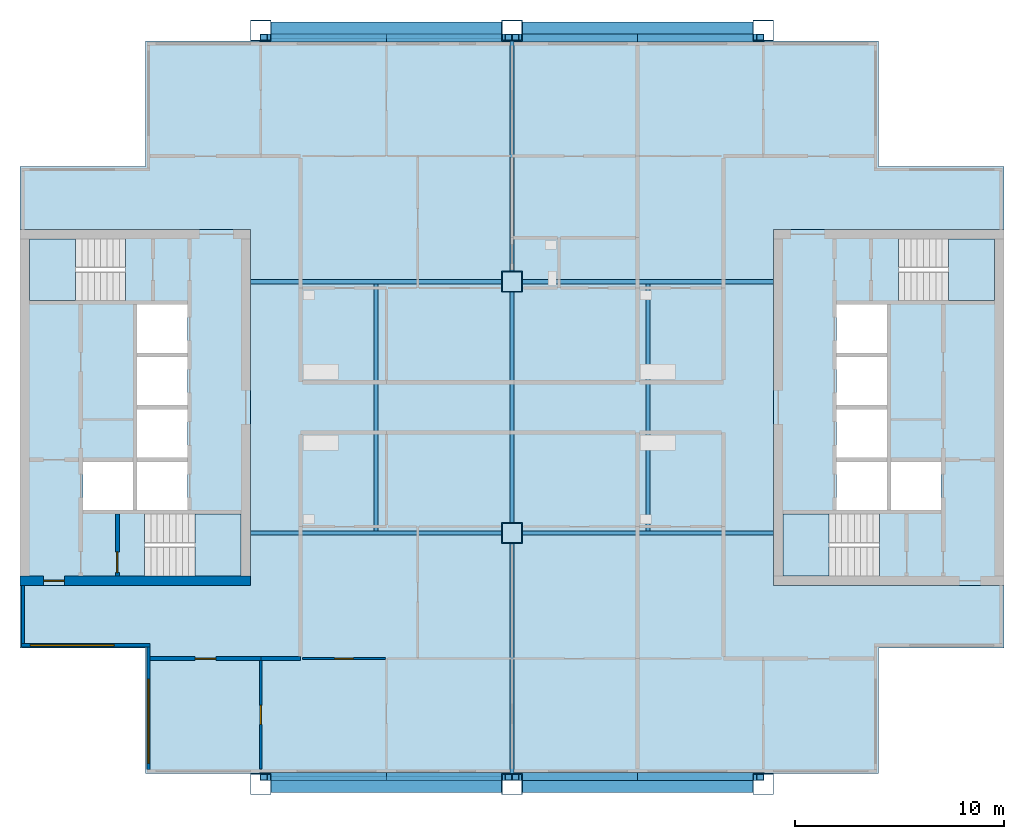
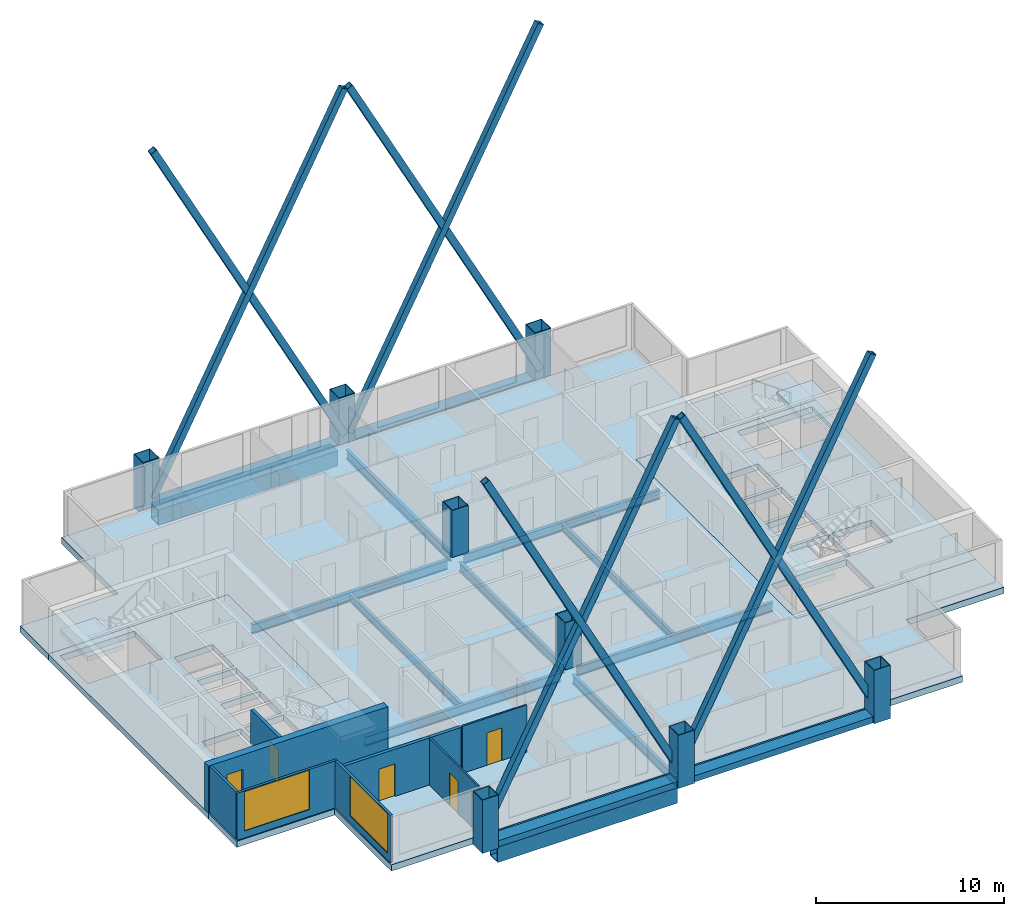
# One storey, part 1 of 8: 15 beams, 9 walls, 8 columns, 8 members, 7 slabs, 5 doors, 2 windows, 7 openings, 4 elements without a shape of their own.
"""IFC4 building model written with IfcOpenShell, lengths in metres."""

from ifc_helpers import new_model, si_unit, direction, frame, frame_2d, origin, origin_2d, place, context, subcontext, project, spatial, polyline, rectangle, hollow_rectangle, i_section, outline, extrude, material, layer, layer_set, material_profile, profile_set, type_object, element, fill, aggregate, save


model = new_model("IFC4")

# Units and contexts
model_context = context("Model", 3, precision=1e-05, world=origin(), true_north=direction((0.0, 1.0)))
body_context = subcontext(model_context, "Body", "Model", "MODEL_VIEW")
ifc_project = project(units=[si_unit("LENGTHUNIT", "METRE"), si_unit("AREAUNIT", "SQUARE_METRE"), si_unit("VOLUMEUNIT", "CUBIC_METRE"), si_unit("PLANEANGLEUNIT", "RADIAN"), si_unit("MASSUNIT", "GRAM", prefix="KILO")], contexts=[model_context])

# Site, building, storey
site_placement = place(None, origin())
site = spatial("IfcSite", under=ifc_project, at=site_placement, CompositionType="ELEMENT")
building_placement = place(site_placement, origin())
building = spatial("IfcBuilding", under=site, at=building_placement, Name="Kitamizu Gate Tower and Museum", CompositionType="ELEMENT")
storey_placement = place(building_placement, frame((0.0, 0.0, 259.35009765625)))
storey = spatial("IfcBuildingStorey", under=building, at=storey_placement, Name="L70", CompositionType="ELEMENT", Elevation=259.35009765625)

# Columns
ifc_material_1 = material(Name="Steel SM490A bronze coated", Category="steel")
ifc_material_profile_1 = material_profile(ifc_material_1, hollow_rectangle(XDim=1.0, YDim=1.0, WallThickness=0.035888671875, at=origin_2d()), Name="BOX 1000x1000x36")
ifc_profile_set_1 = profile_set([ifc_material_profile_1], Name="Steel SM490A bronze coated")
column_type_1 = type_object("IfcColumnType", Name="Exoskeleton column XC9 BOX 1000x1000x36", PredefinedType="COLUMN", material=ifc_profile_set_1)
for number, where, z_axis, x_axis, name in (
    (1, (24.0, 12.0, -0.400146484375), (0.0, 0.0, 1.0), (1.0, 0.0, 0.0), "Column XC9 3B L70"),
    (2, (24.0, 48.0, -0.400146484375), (0.0, 0.0, 1.0), (1.0, 0.0, 0.0), "Column XC9 3E L70"),
    (3, (36.0, 12.0, -0.400146484375), (0.0, 0.0, 1.0), (1.0, 0.0, 0.0), "Column XC9 4B L70"),
    (4, (36.0, 48.0, -0.400146484375), (0.0, 0.0, 1.0), (1.0, 0.0, 0.0), "Column XC9 4E L70"),
    (5, (48.0, 12.0, -0.400146484375), (0.0, 0.0, 1.0), (1.0, 0.0, 0.0), "Column XC9 5B L70"),
    (6, (48.0, 48.0, -0.400146484375), (0.0, 0.0, 1.0), (1.0, 0.0, 0.0), "Column XC9 5E L70"),
):
    element("IfcColumn", number, at=place(storey_placement, frame(where, z_axis=z_axis, x_axis=x_axis)), inside=storey, type_object=column_type_1, Name=name, PredefinedType="COLUMN", context=body_context, shape_type="SweptSolid", body=[
        extrude(hollow_rectangle(XDim=1.0, YDim=1.0, WallThickness=0.035888671875, at=origin_2d()), origin(), (0.0, 0.0, 1.0), 3.449951171875),
    ])
ifc_material_2 = material(Name="Steel SM490A", Category="steel")
ifc_material_profile_2 = material_profile(ifc_material_2, hollow_rectangle(XDim=1.0, YDim=1.0, WallThickness=0.0400390625, at=origin_2d()), Name="BOX 1000x1000x40")
ifc_profile_set_2 = profile_set([ifc_material_profile_2], Name="Steel SM490A")
column_type_2 = type_object("IfcColumnType", Name="Interior column IC5 BOX 1000x1000x40", PredefinedType="COLUMN", material=ifc_profile_set_2)
for number, where, z_axis, x_axis, name in (
    (7, (36.0, 24.0, 0.0), (0.0, 0.0, 1.0), (1.0, 0.0, 0.0), "Column IC5 4C L70"),
    (8, (36.0, 36.0, 0.0), (0.0, 0.0, 1.0), (1.0, 0.0, 0.0), "Column IC5 4D L70"),
):
    element("IfcColumn", number, at=place(storey_placement, frame(where, z_axis=z_axis, x_axis=x_axis)), inside=storey, type_object=column_type_2, Name=name, PredefinedType="COLUMN", context=body_context, shape_type="SweptSolid", body=[
        extrude(hollow_rectangle(XDim=1.0, YDim=1.0, WallThickness=0.0400390625, at=origin_2d()), origin(), (0.0, 0.0, 1.0), 3.0498046875),
    ])

# Members
ifc_material_3 = material(Name="Steel SM490A bronze coated", Category="steel")
ifc_material_profile_3 = material_profile(ifc_material_3, hollow_rectangle(XDim=0.3798828125, YDim=0.39990234375, WallThickness=0.02490234375, at=origin_2d()), Name="BOX 380x400x25")
ifc_profile_set_3 = profile_set([ifc_material_profile_3], Name="Steel SM490A bronze coated")
member_type = type_object("IfcMemberType", Name="Exoskeleton brace XB12 BOX 380x400x25", PredefinedType="BRACE", material=ifc_profile_set_3)
for number, where, z_axis, x_axis, name in (
    (9, (24.14990234375, 12.360107421875, 0.599853515625), (0.462975349298, 0.0, 0.886371155861), (0.0, 1.0, 0.0), "Exoskeleton brace XB12 south 24 L70"),
    (10, (35.85009765625, 12.360107421875, 0.599853515625), (-0.462975349298, 0.0, 0.886371155861), (0.0, -1.0, 0.0), "Exoskeleton brace XB12 south 24 L70"),
    (11, (36.14990234375, 12.360107421875, 0.599853515625), (0.462975349298, 0.0, 0.886371155861), (0.0, 1.0, 0.0), "Exoskeleton brace XB12 south 36 L70"),
    (12, (47.85009765625, 12.360107421875, 0.599853515625), (-0.462975349298, 0.0, 0.886371155861), (0.0, -1.0, 0.0), "Exoskeleton brace XB12 south 36 L70"),
    (13, (24.14990234375, 47.639892578125, 0.599853515625), (0.462975349298, 0.0, 0.886371155861), (0.0, 1.0, 0.0), "Exoskeleton brace XB12 north 24 L70"),
    (14, (35.85009765625, 47.639892578125, 0.599853515625), (-0.462975349298, 0.0, 0.886371155861), (0.0, -1.0, 0.0), "Exoskeleton brace XB12 north 24 L70"),
    (15, (36.14990234375, 47.639892578125, 0.599853515625), (0.462975349298, 0.0, 0.886371155861), (0.0, 1.0, 0.0), "Exoskeleton brace XB12 north 36 L70"),
    (16, (47.85009765625, 47.639892578125, 0.599853515625), (-0.462975349298, 0.0, 0.886371155861), (0.0, -1.0, 0.0), "Exoskeleton brace XB12 north 36 L70"),
):
    element("IfcMember", number, at=place(storey_placement, frame(where, z_axis=z_axis, x_axis=x_axis)), inside=storey, type_object=member_type, Name=name, PredefinedType="BRACE", context=body_context, shape_type="SweptSolid", body=[
        extrude(hollow_rectangle(XDim=0.3798828125, YDim=0.39990234375, WallThickness=0.02490234375, at=origin_2d()), origin(), (0.0, 0.0, 1.0), 25.271728515625),
    ])

# Beams
ifc_material_4 = material(Name="Steel SM490A bronze coated", Category="steel")
ifc_material_profile_4 = material_profile(ifc_material_4, hollow_rectangle(XDim=0.800048828125, YDim=0.39990234375, WallThickness=0.0400390625, at=origin_2d()), Name="BOX 800x400x40")
ifc_profile_set_4 = profile_set([ifc_material_profile_4], Name="Steel SM490A bronze coated")
beam_type_1 = type_object("IfcBeamType", Name="Exoskeleton spandrel beam SB1 BOX 800x400x40", PredefinedType="SPANDREL", material=ifc_profile_set_4)
for number, where, z_axis, x_axis, name in (
    (17, (24.5, 12.0, -0.2001953125), (1.0, 0.0, 0.0), (0.0, 1.0, 0.0), "Exoskeleton spandrel beam south 24 L70"),
    (18, (36.5, 12.0, -0.2001953125), (1.0, 0.0, 0.0), (0.0, 1.0, 0.0), "Exoskeleton spandrel beam south 36 L70"),
    (19, (24.5, 48.0, -0.2001953125), (1.0, 0.0, 0.0), (0.0, 1.0, 0.0), "Exoskeleton spandrel beam north 24 L70"),
    (20, (36.5, 48.0, -0.2001953125), (1.0, 0.0, 0.0), (0.0, 1.0, 0.0), "Exoskeleton spandrel beam north 36 L70"),
):
    element("IfcBeam", number, at=place(storey_placement, frame(where, z_axis=z_axis, x_axis=x_axis)), inside=storey, type_object=beam_type_1, Name=name, PredefinedType="SPANDREL", context=body_context, shape_type="SweptSolid", body=[
        extrude(hollow_rectangle(XDim=0.800048828125, YDim=0.39990234375, WallThickness=0.0400390625, at=origin_2d()), origin(), (0.0, 0.0, 1.0), 11.0),
    ])
ifc_material_5 = material(Name="Steel SM490A", Category="steel")
ifc_material_profile_5 = material_profile(ifc_material_5, i_section(OverallWidth=0.199951171875, OverallDepth=0.5, WebThickness=0.010009765625, FlangeThickness=0.01611328125, FilletRadius=0.02001953125, at=origin_2d()), Name="H-500x200x10x16")
ifc_profile_set_5 = profile_set([ifc_material_profile_5], Name="Steel SM490A")
beam_type_2 = type_object("IfcBeamType", Name="Floor beam FB1 H 500x200x10x16", PredefinedType="BEAM", material=ifc_profile_set_5)
for number, where, z_axis, x_axis, name in (
    (21, (29.5, 24.10009765625, -0.650146484375), (0.0, 1.0, 0.0), (-1.0, 0.0, 0.0), "Floor beam FB1 L70-1"),
    (22, (42.5, 24.10009765625, -0.650146484375), (0.0, 1.0, 0.0), (-1.0, 0.0, 0.0), "Floor beam FB1 L70-2"),
):
    element("IfcBeam", number, at=place(storey_placement, frame(where, z_axis=z_axis, x_axis=x_axis)), inside=storey, type_object=beam_type_2, Name=name, PredefinedType="BEAM", context=body_context, shape_type="SweptSolid", body=[
        extrude(i_section(OverallWidth=0.199951171875, OverallDepth=0.5, WebThickness=0.010009765625, FlangeThickness=0.01611328125, FilletRadius=0.02001953125, at=origin_2d()), origin(), (0.0, 0.0, 1.0), 11.7998046875),
    ])
ifc_material_6 = material(Name="Steel SM490A", Category="steel")
ifc_material_profile_6 = material_profile(ifc_material_6, i_section(OverallWidth=0.199951171875, OverallDepth=0.60009765625, WebThickness=0.010986328125, FlangeThickness=0.01708984375, FilletRadius=0.02197265625, at=origin_2d()), Name="H-600x200x11x17")
ifc_profile_set_6 = profile_set([ifc_material_profile_6], Name="Steel SM490A")
beam_type_3 = type_object("IfcBeamType", Name="Floor girder FG1 H 600x200x11x17", PredefinedType="BEAM", material=ifc_profile_set_6)
for number, where, z_axis, x_axis, name in (
    (23, (36.0, 12.5, -0.7001953125), (0.0, 1.0, 0.0), (-1.0, 0.0, 0.0), "Floor girder FG1 x36 L70"),
    (24, (36.0, 24.5, -0.7001953125), (0.0, 1.0, 0.0), (-1.0, 0.0, 0.0), "Floor girder FG1 x36 L70"),
    (25, (36.0, 36.5, -0.7001953125), (0.0, 1.0, 0.0), (-1.0, 0.0, 0.0), "Floor girder FG1 x36 L70"),
):
    element("IfcBeam", number, at=place(storey_placement, frame(where, z_axis=z_axis, x_axis=x_axis)), inside=storey, type_object=beam_type_3, Name=name, PredefinedType="BEAM", context=body_context, shape_type="SweptSolid", body=[
        extrude(i_section(OverallWidth=0.199951171875, OverallDepth=0.60009765625, WebThickness=0.010986328125, FlangeThickness=0.01708984375, FilletRadius=0.02197265625, at=origin_2d()), origin(), (0.0, 0.0, 1.0), 11.0),
    ])
for number, where, z_axis, x_axis, name in (
    (26, (23.5, 24.0, -0.7001953125), (1.0, 0.0, 0.0), (0.0, 1.0, 0.0), "Floor girder FG1 y24 L70"),
    (27, (36.5, 24.0, -0.7001953125), (1.0, 0.0, 0.0), (0.0, 1.0, 0.0), "Floor girder FG1 y24 L70"),
    (28, (23.5, 36.0, -0.7001953125), (1.0, 0.0, 0.0), (0.0, 1.0, 0.0), "Floor girder FG1 y36 L70"),
    (29, (36.5, 36.0, -0.7001953125), (1.0, 0.0, 0.0), (0.0, 1.0, 0.0), "Floor girder FG1 y36 L70"),
):
    element("IfcBeam", number, at=place(storey_placement, frame(where, z_axis=z_axis, x_axis=x_axis)), inside=storey, type_object=beam_type_3, Name=name, PredefinedType="BEAM", context=body_context, shape_type="SweptSolid", body=[
        extrude(i_section(OverallWidth=0.199951171875, OverallDepth=0.60009765625, WebThickness=0.010986328125, FlangeThickness=0.01708984375, FilletRadius=0.02197265625, at=origin_2d()), origin(), (0.0, 0.0, 1.0), 12.0),
    ])
ifc_material_7 = material(Name="Steel SM490A bronze coated", Category="steel")
ifc_material_profile_7 = material_profile(ifc_material_7, hollow_rectangle(XDim=0.800048828125, YDim=1.0, WallThickness=0.050048828125, at=origin_2d()), Name="BOX 800x1000x50")
ifc_profile_set_7 = profile_set([ifc_material_profile_7], Name="Steel SM490A bronze coated")
beam_type_4 = type_object("IfcBeamType", Name="Portal frame beam PF1 BOX 800x1000x50", PredefinedType="BEAM", material=ifc_profile_set_7)
for number, where, z_axis, x_axis, name in (
    (30, (24.5, 12.0, -0.900146484375), (1.0, 0.0, 0.0), (0.0, 1.0, 0.0), "Portal frame beam S L70"),
    (31, (24.5, 48.0, -0.900146484375), (1.0, 0.0, 0.0), (0.0, 1.0, 0.0), "Portal frame beam N L70"),
):
    element("IfcBeam", number, at=place(storey_placement, frame(where, z_axis=z_axis, x_axis=x_axis)), inside=storey, type_object=beam_type_4, Name=name, PredefinedType="BEAM", context=body_context, shape_type="SweptSolid", body=[
        extrude(hollow_rectangle(XDim=0.800048828125, YDim=1.0, WallThickness=0.050048828125, at=origin_2d()), origin(), (0.0, 0.0, 1.0), 11.0),
    ])

# Slabs
ifc_material_8 = material(Name="Concrete Fc36", Category="concrete")
ifc_layer_1 = layer(ifc_material_8, 0.39990234375)
ifc_layer_set_1 = layer_set([ifc_layer_1], Name="Concrete Fc36")
slab_type_1 = type_object("IfcSlabType", Name="Core floor slab 400", PredefinedType="FLOOR", material=ifc_layer_set_1)
slab_1_placement = place(storey_placement, frame((0.0, 0.0, -0.400146484375)))
element("IfcSlab", 32, at=slab_1_placement, inside=storey, type_object=slab_type_1, Name="Core floor slab W", PredefinedType="FLOOR", context=body_context, shape_type="SweptSolid", body=[
    extrude(outline(polyline([(12.5, 21.5), (23.5, 21.5), (23.5, 38.5), (12.5, 38.5), (12.5, 21.5)]), holes=[polyline([(15.5, 25.10009765625), (17.89990234375, 25.10009765625), (17.89990234375, 27.39990234375), (15.5, 27.39990234375), (15.5, 25.10009765625)]), polyline([(18.10009765625, 25.10009765625), (20.5, 25.10009765625), (20.5, 27.39990234375), (18.10009765625, 27.39990234375), (18.10009765625, 25.10009765625)]), polyline([(18.10009765625, 27.60009765625), (20.5, 27.60009765625), (20.5, 29.89990234375), (18.10009765625, 29.89990234375), (18.10009765625, 27.60009765625)]), polyline([(18.10009765625, 30.10009765625), (20.5, 30.10009765625), (20.5, 32.39990234375), (18.10009765625, 32.39990234375), (18.10009765625, 30.10009765625)]), polyline([(18.10009765625, 32.60009765625), (20.5, 32.60009765625), (20.5, 34.89990234375), (18.10009765625, 34.89990234375), (18.10009765625, 32.60009765625)]), polyline([(18.45068359375, 21.949951171875), (23.050048828125, 21.949951171875), (23.050048828125, 24.89990234375), (18.45068359375, 24.89990234375), (18.45068359375, 21.949951171875)]), polyline([(12.949951171875, 35.10009765625), (17.54931640625, 35.10009765625), (17.54931640625, 38.050048828125), (12.949951171875, 38.050048828125), (12.949951171875, 35.10009765625)])]), origin(), (0.0, 0.0, 1.0), 0.400146484375),
])
slab_2_placement = place(storey_placement, frame((0.0, 0.0, -0.400146484375)))
element("IfcSlab", 33, at=slab_2_placement, inside=storey, type_object=slab_type_1, Name="Core floor slab E", PredefinedType="FLOOR", context=body_context, shape_type="SweptSolid", body=[
    extrude(outline(polyline([(48.5, 21.5), (59.5, 21.5), (59.5, 38.5), (48.5, 38.5), (48.5, 21.5)]), holes=[polyline([(54.10009765625, 25.10009765625), (56.5, 25.10009765625), (56.5, 27.39990234375), (54.10009765625, 27.39990234375), (54.10009765625, 25.10009765625)]), polyline([(51.5, 25.10009765625), (53.89990234375, 25.10009765625), (53.89990234375, 27.39990234375), (51.5, 27.39990234375), (51.5, 25.10009765625)]), polyline([(51.5, 27.60009765625), (53.89990234375, 27.60009765625), (53.89990234375, 29.89990234375), (51.5, 29.89990234375), (51.5, 27.60009765625)]), polyline([(51.5, 30.10009765625), (53.89990234375, 30.10009765625), (53.89990234375, 32.39990234375), (51.5, 32.39990234375), (51.5, 30.10009765625)]), polyline([(51.5, 32.60009765625), (53.89990234375, 32.60009765625), (53.89990234375, 34.89990234375), (51.5, 34.89990234375), (51.5, 32.60009765625)]), polyline([(48.949951171875, 21.949951171875), (53.54931640625, 21.949951171875), (53.54931640625, 24.89990234375), (48.949951171875, 24.89990234375), (48.949951171875, 21.949951171875)]), polyline([(54.45068359375, 35.10009765625), (59.050048828125, 35.10009765625), (59.050048828125, 38.050048828125), (54.45068359375, 38.050048828125), (54.45068359375, 35.10009765625)])]), origin(), (0.0, 0.0, 1.0), 0.400146484375),
])
ifc_material_9 = material(Name="Concrete Fc36", Category="concrete")
ifc_layer_2 = layer(ifc_material_9, 0.39990234375)
ifc_layer_set_2 = layer_set([ifc_layer_2], Name="Concrete Fc36")
slab_type_2 = type_object("IfcSlabType", Name="Post tensioned flat slab 400", PredefinedType="FLOOR", material=ifc_layer_set_2)
slab_3_placement = place(storey_placement, frame((0.0, 0.0, -0.400146484375)))
element("IfcSlab", 34, at=slab_3_placement, inside=storey, type_object=slab_type_2, Name="Floor slab L70-1", PredefinedType="FLOOR", context=body_context, shape_type="SweptSolid", body=[
    extrude(outline(polyline([(12.5, 18.5), (12.5, 21.5), (23.5, 21.5), (23.5, 38.5), (12.5, 38.5), (12.5, 41.5), (18.5, 41.5), (18.5, 47.5), (53.5, 47.5), (53.5, 41.5), (59.5, 41.5), (59.5, 38.5), (48.5, 38.5), (48.5, 21.5), (59.5, 21.5), (59.5, 18.5), (53.5, 18.5), (53.5, 12.5), (18.5, 12.5), (18.5, 18.5), (12.5, 18.5)])), origin(), (0.0, 0.0, 1.0), 0.400146484375),
])

# Stair, slab
ifc_material_10 = material(Name="Concrete Fc42", Category="concrete")
stair_type = type_object("IfcStairType", Name="Exit stair 1375 wide 192 rise 300 going", PredefinedType="HALF_TURN_STAIR", material=ifc_material_10)
stair_1_placement = place(storey_placement, origin())
stair_1 = element("IfcStair", 35, at=stair_1_placement, inside=storey, type_object=stair_type, Name="Exit stair ST1", PredefinedType="HALF_TURN_STAIR")
ifc_material_11 = material(Name="Concrete Fc42", Category="concrete")
ifc_layer_3 = layer(ifc_material_11, 0.300048828125)
ifc_layer_set_3 = layer_set([ifc_layer_3], Name="Concrete Fc42")
slab_type_3 = type_object("IfcSlabType", Name="Stair landing 300", PredefinedType="LANDING", material=ifc_layer_set_3)
slab_4_placement = place(storey_placement, frame((0.0, 0.0, 1.4248046875)))
slab_4 = element("IfcSlab", 36, at=slab_4_placement, type_object=slab_type_3, Name="ST1 landing 1", PredefinedType="LANDING", context=body_context, shape_type="SweptSolid", body=[
    extrude(outline(polyline([(20.85009765625, 21.949951171875), (23.050048828125, 21.949951171875), (23.050048828125, 24.89990234375), (20.85009765625, 24.89990234375), (20.85009765625, 21.949951171875)])), origin(), (0.0, 0.0, 1.0), 0.300048828125),
])
aggregate(stair_1, [slab_4])

stair_2_placement = place(storey_placement, origin())
stair_2 = element("IfcStair", 37, at=stair_2_placement, inside=storey, type_object=stair_type, Name="Exit stair ST2", PredefinedType="HALF_TURN_STAIR")
slab_5_placement = place(storey_placement, frame((0.0, 0.0, 1.4248046875)))
slab_5 = element("IfcSlab", 38, at=slab_5_placement, type_object=slab_type_3, Name="ST2 landing 1", PredefinedType="LANDING", context=body_context, shape_type="SweptSolid", body=[
    extrude(outline(polyline([(12.949951171875, 35.10009765625), (15.14990234375, 35.10009765625), (15.14990234375, 38.050048828125), (12.949951171875, 38.050048828125), (12.949951171875, 35.10009765625)])), origin(), (0.0, 0.0, 1.0), 0.300048828125),
])
aggregate(stair_2, [slab_5])

stair_3_placement = place(storey_placement, origin())
stair_3 = element("IfcStair", 39, at=stair_3_placement, inside=storey, type_object=stair_type, Name="Exit stair ST3", PredefinedType="HALF_TURN_STAIR")
slab_6_placement = place(storey_placement, frame((0.0, 0.0, 1.4248046875)))
slab_6 = element("IfcSlab", 40, at=slab_6_placement, type_object=slab_type_3, Name="ST3 landing 1", PredefinedType="LANDING", context=body_context, shape_type="SweptSolid", body=[
    extrude(outline(polyline([(48.949951171875, 21.949951171875), (51.14990234375, 21.949951171875), (51.14990234375, 24.89990234375), (48.949951171875, 24.89990234375), (48.949951171875, 21.949951171875)])), origin(), (0.0, 0.0, 1.0), 0.300048828125),
])
aggregate(stair_3, [slab_6])

stair_4_placement = place(storey_placement, origin())
stair_4 = element("IfcStair", 41, at=stair_4_placement, inside=storey, type_object=stair_type, Name="Exit stair ST4", PredefinedType="HALF_TURN_STAIR")
slab_7_placement = place(storey_placement, frame((0.0, 0.0, 1.4248046875)))
slab_7 = element("IfcSlab", 42, at=slab_7_placement, type_object=slab_type_3, Name="ST4 landing 1", PredefinedType="LANDING", context=body_context, shape_type="SweptSolid", body=[
    extrude(outline(polyline([(56.85009765625, 35.10009765625), (59.050048828125, 35.10009765625), (59.050048828125, 38.050048828125), (56.85009765625, 38.050048828125), (56.85009765625, 35.10009765625)])), origin(), (0.0, 0.0, 1.0), 0.300048828125),
])
aggregate(stair_4, [slab_7])

# Wall, opening, door
ifc_material_12 = material(Name="Concrete Fc42", Category="concrete")
ifc_layer_4 = layer(ifc_material_12, 0.449951171875)
ifc_layer_set_4 = layer_set([ifc_layer_4], Name="Concrete Fc42")
wall_type_1 = type_object("IfcWallType", Name="Core wall 450 EI 90", PredefinedType="SHEAR", material=ifc_layer_set_4)
wall_1_placement = place(storey_placement, frame((12.5, 21.72509765625, 0.0), z_axis=(0.0, 0.0, 1.0), x_axis=(1.0, 0.0, 0.0)))
wall_1 = element("IfcWall", 43, at=wall_1_placement, inside=storey, type_object=wall_type_1, Name="Core wall WS", PredefinedType="SHEAR", context=body_context, shape_type="SweptSolid", body=[
    extrude(rectangle(XDim=11.0, YDim=0.449951171875, at=frame_2d((5.5, 0.0))), origin(), (0.0, 0.0, 1.0), 3.0498046875),
])
opening_1_placement = place(wall_1_placement, frame((1.125, 0.0, 0.0)))
opening_1 = element("IfcOpeningElement", 44, at=opening_1_placement, cuts=wall_1, Name="Opening L70-034", PredefinedType="OPENING", context=body_context, shape_type="SweptSolid", body=[
    extrude(rectangle(XDim=1.0, YDim=2.10009765625, at=frame_2d((0.5, 1.050048828125))), frame((0.0, 0.23486328125, 0.0), z_axis=(0.0, -1.0, 0.0), x_axis=(1.0, 0.0, 0.0)), (0.0, 0.0, 1.0), 0.469970703125),
])
ifc_material_13 = material(Name="Hollow metal door set")
door_type_1 = type_object("IfcDoorType", Name="Fire door 1000", OperationType="NOTDEFINED", PredefinedType="DOOR", material=ifc_material_13)
door_1_placement = place(opening_1_placement, origin())
door_1 = element("IfcDoor", 45, at=door_1_placement, inside=storey, type_object=door_type_1, Name="Fire-fighting lobby door L70-034", OperationType="SINGLE_SWING_LEFT", OverallHeight=2.10009765625, OverallWidth=1.0, PredefinedType="DOOR", context=body_context, shape_type="SweptSolid", body=[
    extrude(rectangle(XDim=1.0, YDim=2.10009765625, at=frame_2d((0.5, 1.050048828125))), frame((0.0, 0.02490234375, 0.0), z_axis=(0.0, -1.0, 0.0), x_axis=(1.0, 0.0, 0.0)), (0.0, 0.0, 1.0), 0.050048828125),
])
fill(opening_1, door_1)

ifc_material_14 = material(Name="Gypsum board on galvanised stud")
ifc_layer_5 = layer(ifc_material_14, 0.10009765625)
ifc_layer_set_5 = layer_set([ifc_layer_5], Name="Gypsum board on galvanised stud")
wall_type_2 = type_object("IfcWallType", Name="Partition 100 NOT RATED", PredefinedType="PARTITIONING", material=ifc_layer_set_5)
wall_2_placement = place(storey_placement, frame((24.0, 12.719970703125, 0.0), z_axis=(0.0, 0.0, 1.0), x_axis=(0.0, 1.0, 0.0)))
wall_2 = element("IfcWall", 46, at=wall_2_placement, inside=storey, type_object=wall_type_2, Name="Partition L70-001", PredefinedType="PARTITIONING", context=body_context, shape_type="SweptSolid", body=[
    extrude(rectangle(XDim=5.179931640625, YDim=0.10009765625, at=frame_2d((2.58984375, 0.0))), origin(), (0.0, 0.0, 1.0), 3.0498046875),
])
opening_2_placement = place(wall_2_placement, frame((2.139892578125, 0.0, 0.0)))
opening_2 = element("IfcOpeningElement", 47, at=opening_2_placement, cuts=wall_2, Name="Opening L70-002", PredefinedType="OPENING", context=body_context, shape_type="SweptSolid", body=[
    extrude(rectangle(XDim=0.89990234375, YDim=2.10009765625, at=frame_2d((0.449951171875, 1.050048828125))), frame((0.0, 0.06005859375, 0.0), z_axis=(0.0, -1.0, 0.0), x_axis=(1.0, 0.0, 0.0)), (0.0, 0.0, 1.0), 0.1201171875),
])
ifc_material_15 = material(Name="Timber door set", Category="wood")
door_type_2 = type_object("IfcDoorType", Name="Room door 900", OperationType="NOTDEFINED", PredefinedType="DOOR", material=ifc_material_15)
door_2_placement = place(opening_2_placement, frame((0.89990234375, 0.0, 0.0), x_axis=(-1.0, 0.0, 0.0)))
door_2 = element("IfcDoor", 48, at=door_2_placement, inside=storey, type_object=door_type_2, Name="Door L70-002", OperationType="SINGLE_SWING_RIGHT", OverallHeight=2.10009765625, OverallWidth=0.89990234375, PredefinedType="DOOR", context=body_context, shape_type="SweptSolid", body=[
    extrude(rectangle(XDim=0.89990234375, YDim=2.10009765625, at=frame_2d((0.449951171875, 1.050048828125))), frame((0.0, 0.02490234375, 0.0), z_axis=(0.0, -1.0, 0.0), x_axis=(1.0, 0.0, 0.0)), (0.0, 0.0, 1.0), 0.050048828125),
])
fill(opening_2, door_2)

wall_3_placement = place(storey_placement, frame((29.949951171875, 18.0, 0.0), z_axis=(0.0, 0.0, 1.0), x_axis=(-1.0, 0.0, 0.0)))
wall_3 = element("IfcWall", 49, at=wall_3_placement, inside=storey, type_object=wall_type_2, Name="Partition L70-004", PredefinedType="PARTITIONING", context=body_context, shape_type="SweptSolid", body=[
    extrude(rectangle(XDim=3.949951171875, YDim=0.10009765625, at=frame_2d((1.97509765625, 0.0))), origin(), (0.0, 0.0, 1.0), 3.0498046875),
])
opening_3_placement = place(wall_3_placement, frame((1.52490234375, 0.0, 0.0)))
opening_3 = element("IfcOpeningElement", 50, at=opening_3_placement, cuts=wall_3, Name="Opening L70-005", PredefinedType="OPENING", context=body_context, shape_type="SweptSolid", body=[
    extrude(rectangle(XDim=0.89990234375, YDim=2.10009765625, at=frame_2d((0.449951171875, 1.050048828125))), frame((0.0, 0.06005859375, 0.0), z_axis=(0.0, -1.0, 0.0), x_axis=(1.0, 0.0, 0.0)), (0.0, 0.0, 1.0), 0.1201171875),
])
door_3_placement = place(opening_3_placement, origin())
door_3 = element("IfcDoor", 51, at=door_3_placement, inside=storey, type_object=door_type_2, Name="Door L70-005", OperationType="SINGLE_SWING_RIGHT", OverallHeight=2.10009765625, OverallWidth=0.89990234375, PredefinedType="DOOR", context=body_context, shape_type="SweptSolid", body=[
    extrude(rectangle(XDim=0.89990234375, YDim=2.10009765625, at=frame_2d((0.449951171875, 1.050048828125))), frame((0.0, 0.02490234375, 0.0), z_axis=(0.0, -1.0, 0.0), x_axis=(1.0, 0.0, 0.0)), (0.0, 0.0, 1.0), 0.050048828125),
])
fill(opening_3, door_3)

ifc_material_16 = material(Name="Gypsum board on galvanised stud")
ifc_layer_6 = layer(ifc_material_16, 0.199951171875)
ifc_layer_set_6 = layer_set([ifc_layer_6], Name="Gypsum board on galvanised stud")
wall_type_3 = type_object("IfcWallType", Name="Partition 200", PredefinedType="PARTITIONING", material=ifc_layer_set_6)
wall_4_placement = place(storey_placement, frame((24.0, 18.0, 0.0), z_axis=(0.0, 0.0, 1.0), x_axis=(-1.0, 0.0, 0.0)))
wall_4 = element("IfcWall", 52, at=wall_4_placement, inside=storey, type_object=wall_type_3, Name="Partition L70-002", PredefinedType="PARTITIONING", context=body_context, shape_type="SweptSolid", body=[
    extrude(rectangle(XDim=5.280029296875, YDim=0.199951171875, at=frame_2d((2.64013671875, 0.0))), origin(), (0.0, 0.0, 1.0), 3.0498046875),
])
opening_4_placement = place(wall_4_placement, frame((2.139892578125, 0.0, 0.0)))
opening_4 = element("IfcOpeningElement", 53, at=opening_4_placement, cuts=wall_4, Name="Opening L70-001", PredefinedType="OPENING", context=body_context, shape_type="SweptSolid", body=[
    extrude(rectangle(XDim=1.0, YDim=2.10009765625, at=frame_2d((0.5, 1.050048828125))), frame((0.0, 0.10986328125, 0.0), z_axis=(0.0, -1.0, 0.0), x_axis=(1.0, 0.0, 0.0)), (0.0, 0.0, 1.0), 0.219970703125),
])
ifc_material_17 = material(Name="Timber door set", Category="wood")
door_type_3 = type_object("IfcDoorType", Name="Flat entrance door 1000", OperationType="NOTDEFINED", PredefinedType="DOOR", material=ifc_material_17)
door_4_placement = place(opening_4_placement, origin())
door_4 = element("IfcDoor", 54, at=door_4_placement, inside=storey, type_object=door_type_3, Name="Flat entrance door L70-001", OperationType="SINGLE_SWING_RIGHT", OverallHeight=2.10009765625, OverallWidth=1.0, PredefinedType="DOOR", context=body_context, shape_type="SweptSolid", body=[
    extrude(rectangle(XDim=1.0, YDim=2.10009765625, at=frame_2d((0.5, 1.050048828125))), frame((0.0, 0.02490234375, 0.0), z_axis=(0.0, -1.0, 0.0), x_axis=(1.0, 0.0, 0.0)), (0.0, 0.0, 1.0), 0.050048828125),
])
fill(opening_4, door_4)

# Wall
wall_5_placement = place(storey_placement, frame((25.89990234375, 18.0, 0.0), z_axis=(0.0, 0.0, 1.0), x_axis=(-1.0, 0.0, 0.0)))
element("IfcWall", 55, at=wall_5_placement, inside=storey, type_object=wall_type_3, Name="Partition L70-005", PredefinedType="PARTITIONING", context=body_context, shape_type="SweptSolid", body=[
    extrude(rectangle(XDim=1.89990234375, YDim=0.199951171875, at=frame_2d((0.949951171875, 0.0))), origin(), (0.0, 0.0, 1.0), 3.0498046875),
])

# Wall, opening, door
ifc_material_18 = material(Name="Concrete Fc42", Category="concrete")
ifc_layer_7 = layer(ifc_material_18, 0.199951171875)
ifc_layer_set_7 = layer_set([ifc_layer_7], Name="Concrete Fc42")
wall_type_4 = type_object("IfcWallType", Name="Shaft wall 200", PredefinedType="SOLIDWALL", material=ifc_layer_set_7)
wall_6_placement = place(storey_placement, frame((17.14990234375, 21.949951171875, 0.0), z_axis=(0.0, 0.0, 1.0), x_axis=(0.0, 1.0, 0.0)))
wall_6 = element("IfcWall", 56, at=wall_6_placement, inside=storey, type_object=wall_type_4, Name="Shaft wall WSZ", PredefinedType="SOLIDWALL", context=body_context, shape_type="SweptSolid", body=[
    extrude(rectangle(XDim=2.949951171875, YDim=0.199951171875, at=frame_2d((1.47509765625, 0.0))), origin(), (0.0, 0.0, 1.0), 3.0498046875),
])
opening_5_placement = place(wall_6_placement, frame((0.14990234375, 0.0, 0.0)))
opening_5 = element("IfcOpeningElement", 57, at=opening_5_placement, cuts=wall_6, Name="Opening L70-029", PredefinedType="OPENING", context=body_context, shape_type="SweptSolid", body=[
    extrude(rectangle(XDim=1.0, YDim=2.10009765625, at=frame_2d((0.5, 1.050048828125))), frame((0.0, 0.10986328125, 0.0), z_axis=(0.0, -1.0, 0.0), x_axis=(1.0, 0.0, 0.0)), (0.0, 0.0, 1.0), 0.219970703125),
])
door_5_placement = place(opening_5_placement, frame((1.0, 0.0, 0.0), x_axis=(-1.0, 0.0, 0.0)))
door_5 = element("IfcDoor", 58, at=door_5_placement, inside=storey, type_object=door_type_1, Name="Stair door L70-029", OperationType="SINGLE_SWING_LEFT", OverallHeight=2.10009765625, OverallWidth=1.0, PredefinedType="DOOR", context=body_context, shape_type="SweptSolid", body=[
    extrude(rectangle(XDim=1.0, YDim=2.10009765625, at=frame_2d((0.5, 1.050048828125))), frame((0.0, 0.02490234375, 0.0), z_axis=(0.0, -1.0, 0.0), x_axis=(1.0, 0.0, 0.0)), (0.0, 0.0, 1.0), 0.050048828125),
])
fill(opening_5, door_5)

# Wall
ifc_material_19 = material(Name="Bronze anodised aluminium frame with insulated spandrel and tinted glass", Category="aluminium")
ifc_layer_8 = layer(ifc_material_19, 0.14990234375)
ifc_layer_set_8 = layer_set([ifc_layer_8], Name="Bronze anodised aluminium frame with insulated spandrel and tinted glass")
wall_type_5 = type_object("IfcWallType", Name="WINDOW WALL 150 BRONZE FRAME EI 30", PredefinedType="ELEMENTEDWALL", material=ifc_layer_set_8)
wall_7_placement = place(storey_placement, frame((12.635009765625, 18.7099609375, 0.0), z_axis=(0.0, 0.0, 1.0), x_axis=(0.0, 1.0, 0.0)))
element("IfcWall", 59, at=wall_7_placement, inside=storey, type_object=wall_type_5, Name="Window wall west L70", PredefinedType="ELEMENTEDWALL", context=body_context, shape_type="SweptSolid", body=[
    extrude(rectangle(XDim=2.7900390625, YDim=0.14990234375, at=frame_2d((1.39501953125, 0.0))), origin(), (0.0, 0.0, 1.0), 3.0498046875),
])

# Wall, opening, window
wall_8_placement = place(storey_placement, frame((12.56005859375, 18.635009765625, 0.0), z_axis=(0.0, 0.0, 1.0), x_axis=(1.0, 0.0, 0.0)))
wall_8 = element("IfcWall", 60, at=wall_8_placement, inside=storey, type_object=wall_type_5, Name="Window wall south L70", PredefinedType="ELEMENTEDWALL", context=body_context, shape_type="SweptSolid", body=[
    extrude(rectangle(XDim=6.14990234375, YDim=0.14990234375, at=frame_2d((3.074951171875, 0.0))), origin(), (0.0, 0.0, 1.0), 3.0498046875),
])
opening_6_placement = place(wall_8_placement, frame((0.43994140625, 0.0, 0.449951171875)))
opening_6 = element("IfcOpeningElement", 61, at=opening_6_placement, cuts=wall_8, Name="Opening W16", PredefinedType="OPENING", context=body_context, shape_type="SweptSolid", body=[
    extrude(rectangle(XDim=4.0, YDim=2.550048828125, at=frame_2d((2.0, 1.27490234375))), frame((0.0, 0.0849609375, 0.0), z_axis=(0.0, -1.0, 0.0), x_axis=(1.0, 0.0, 0.0)), (0.0, 0.0, 1.0), 0.169921875),
])
ifc_material_20 = material(Name="Bronze anodised aluminium frame, tinted triple glazing", Category="aluminium")
window_type = type_object("IfcWindowType", Name="WINDOW 4000 x 2550 SILL 450", PartitioningType="SINGLE_PANEL", PredefinedType="WINDOW", material=ifc_material_20)
window_1_placement = place(opening_6_placement, origin())
window_1 = element("IfcWindow", 62, at=window_1_placement, inside=storey, type_object=window_type, Name="Window W16 L70", OverallHeight=2.550048828125, OverallWidth=4.0, PartitioningType="SINGLE_PANEL", PredefinedType="WINDOW", context=body_context, shape_type="SweptSolid", body=[
    extrude(rectangle(XDim=4.0, YDim=2.550048828125, at=frame_2d((2.0, 1.27490234375))), frame((0.0, 0.030029296875, 0.0), z_axis=(0.0, -1.0, 0.0), x_axis=(1.0, 0.0, 0.0)), (0.0, 0.0, 1.0), 0.06005859375),
])
fill(opening_6, window_1)

wall_9_placement = place(storey_placement, frame((18.635009765625, 12.7099609375, 0.0), z_axis=(0.0, 0.0, 1.0), x_axis=(0.0, 1.0, 0.0)))
wall_9 = element("IfcWall", 63, at=wall_9_placement, inside=storey, type_object=wall_type_5, Name="Window wall west L70", PredefinedType="ELEMENTEDWALL", context=body_context, shape_type="SweptSolid", body=[
    extrude(rectangle(XDim=5.85009765625, YDim=0.14990234375, at=frame_2d((2.925048828125, 0.0))), origin(), (0.0, 0.0, 1.0), 3.0498046875),
])
opening_7_placement = place(wall_9_placement, frame((0.2900390625, 0.0, 0.449951171875)))
opening_7 = element("IfcOpeningElement", 64, at=opening_7_placement, cuts=wall_9, Name="Opening W16", PredefinedType="OPENING", context=body_context, shape_type="SweptSolid", body=[
    extrude(rectangle(XDim=4.0, YDim=2.550048828125, at=frame_2d((2.0, 1.27490234375))), frame((0.0, 0.0849609375, 0.0), z_axis=(0.0, -1.0, 0.0), x_axis=(1.0, 0.0, 0.0)), (0.0, 0.0, 1.0), 0.169921875),
])
window_2_placement = place(opening_7_placement, origin())
window_2 = element("IfcWindow", 65, at=window_2_placement, inside=storey, type_object=window_type, Name="Window W16 L70", OverallHeight=2.550048828125, OverallWidth=4.0, PartitioningType="SINGLE_PANEL", PredefinedType="WINDOW", context=body_context, shape_type="SweptSolid", body=[
    extrude(rectangle(XDim=4.0, YDim=2.550048828125, at=frame_2d((2.0, 1.27490234375))), frame((0.0, 0.030029296875, 0.0), z_axis=(0.0, -1.0, 0.0), x_axis=(1.0, 0.0, 0.0)), (0.0, 0.0, 1.0), 0.06005859375),
])
fill(opening_7, window_2)

save(model, "model.ifc")
